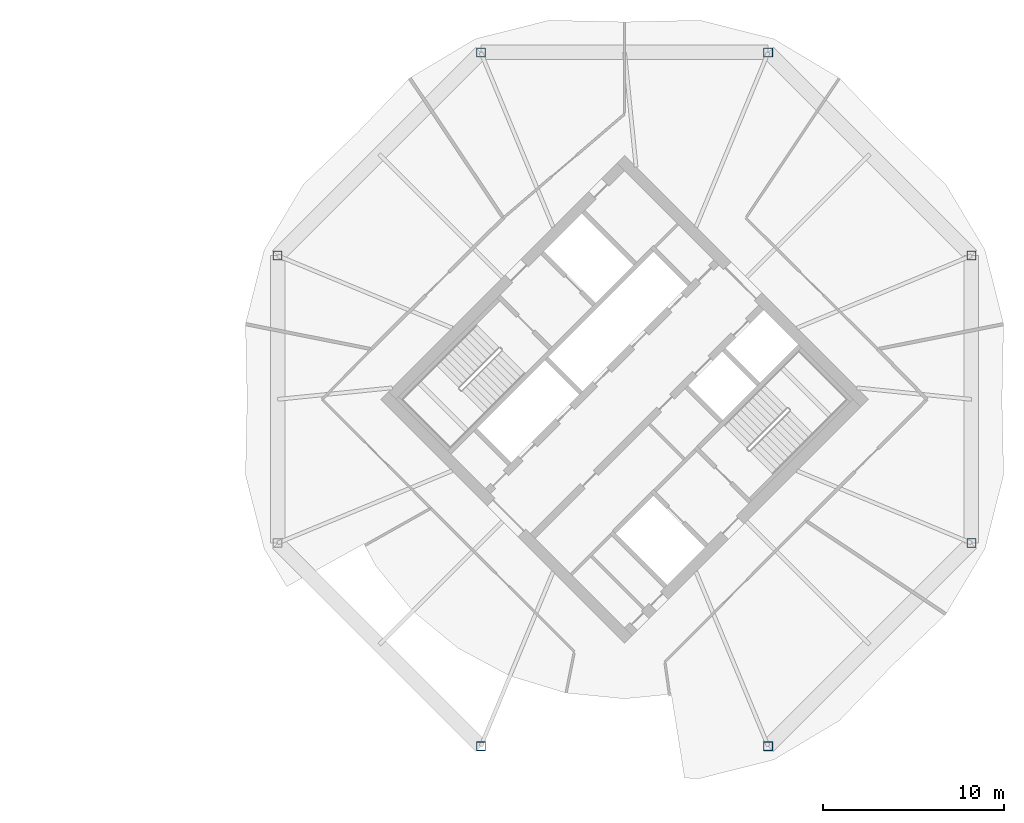
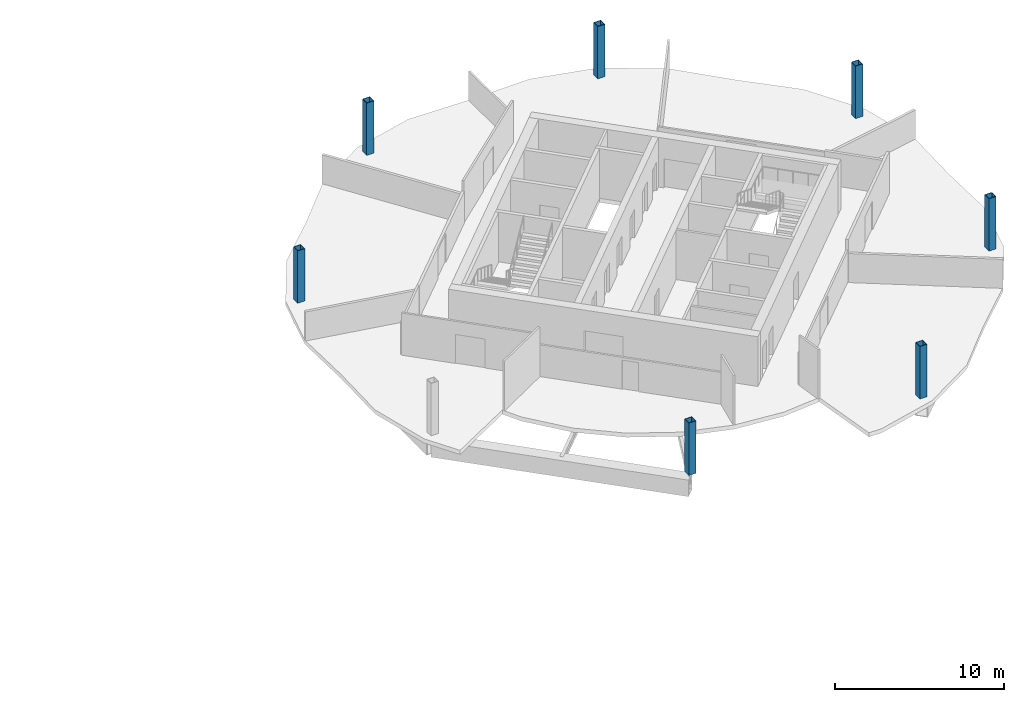
# One storey, part 2 of 10: 7 columns.
"""IFC4 building model written with IfcOpenShell, lengths in metres."""

from ifc_helpers import new_model, si_unit, direction, frame, origin, origin_2d, place, context, subcontext, project, spatial, hollow_rectangle, extrude, material, material_profile, profile_set, type_object, element, save


model = new_model("IFC4")

# Units and contexts
model_context = context("Model", 3, precision=1e-05, world=origin(), true_north=direction((0.0, 1.0)))
body_context = subcontext(model_context, "Body", "Model", "MODEL_VIEW")
ifc_project = project(units=[si_unit("LENGTHUNIT", "METRE"), si_unit("AREAUNIT", "SQUARE_METRE"), si_unit("VOLUMEUNIT", "CUBIC_METRE"), si_unit("PLANEANGLEUNIT", "RADIAN"), si_unit("MASSUNIT", "GRAM", prefix="KILO")], contexts=[model_context])

# Site, building, storey
site_placement = place(None, origin())
site = spatial("IfcSite", under=ifc_project, at=site_placement, CompositionType="ELEMENT")
building_placement = place(site_placement, origin())
building = spatial("IfcBuilding", under=site, at=building_placement, Name="Ogive Gate Towers", CompositionType="ELEMENT")
storey_placement = place(building_placement, frame((0.0, 0.0, 212.39990234375)))
storey = spatial("IfcBuildingStorey", under=building, at=storey_placement, Name="L51", CompositionType="ELEMENT", Elevation=212.39990234375)

# Columns
ifc_material = material(Name="Steel SM460", Category="steel")
ifc_material_profile = material_profile(ifc_material, hollow_rectangle(XDim=0.5, YDim=0.5, WallThickness=0.030029296875, at=origin_2d()), Name="BX 500x500x30")
ifc_profile_set = profile_set([ifc_material_profile], Name="Steel SM460")
column_type = type_object("IfcColumnType", Name="Perimeter post BX 500x500x30", PredefinedType="COLUMN", material=ifc_profile_set)
for number, where, z_axis, x_axis, name in (
    (1, (55.114990234375, 7.917724609375, 0.0), (0.0, 0.0, 1.0), (1.0, 0.0, 0.0), "T2/L51/SCL001"),
    (2, (43.917724609375, 19.114990234375, 0.0), (0.0, 0.0, 1.0), (1.0, 0.0, 0.0), "T2/L51/SCL002"),
    (3, (28.082275390625, 19.114990234375, 0.0), (0.0, 0.0, 1.0), (1.0, 0.0, 0.0), "T2/L51/SCL003"),
    (4, (16.885009765625, 7.917724609375, 0.0), (0.0, 0.0, 1.0), (1.0, 0.0, 0.0), "T2/L51/SCL004"),
    (5, (28.082275390625, -19.114990234375, 0.0), (0.0, 0.0, 1.0), (1.0, 0.0, 0.0), "T2/L51/SCL006"),
    (6, (43.917724609375, -19.114990234375, 0.0), (0.0, 0.0, 1.0), (1.0, 0.0, 0.0), "T2/L51/SCL007"),
    (7, (55.114990234375, -7.917724609375, 0.0), (0.0, 0.0, 1.0), (1.0, 0.0, 0.0), "T2/L51/SCL008"),
):
    element("IfcColumn", number, at=place(storey_placement, frame(where, z_axis=z_axis, x_axis=x_axis)), inside=storey, type_object=column_type, Name=name, PredefinedType="COLUMN", context=body_context, shape_type="SweptSolid", body=[
        extrude(hollow_rectangle(XDim=0.5, YDim=0.5, WallThickness=0.030029296875, at=origin_2d()), origin(), (0.0, 0.0, 1.0), 3.800048828125),
    ])

save(model, "model.ifc")
